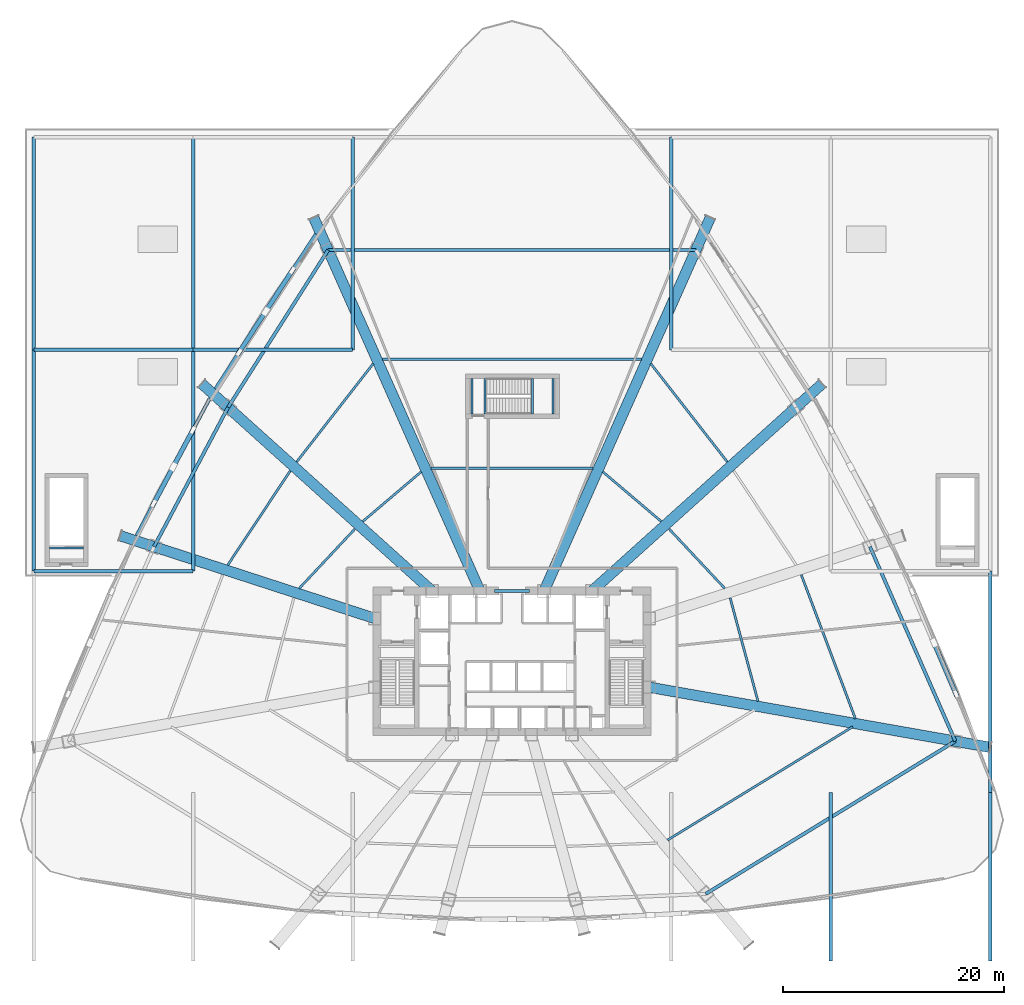
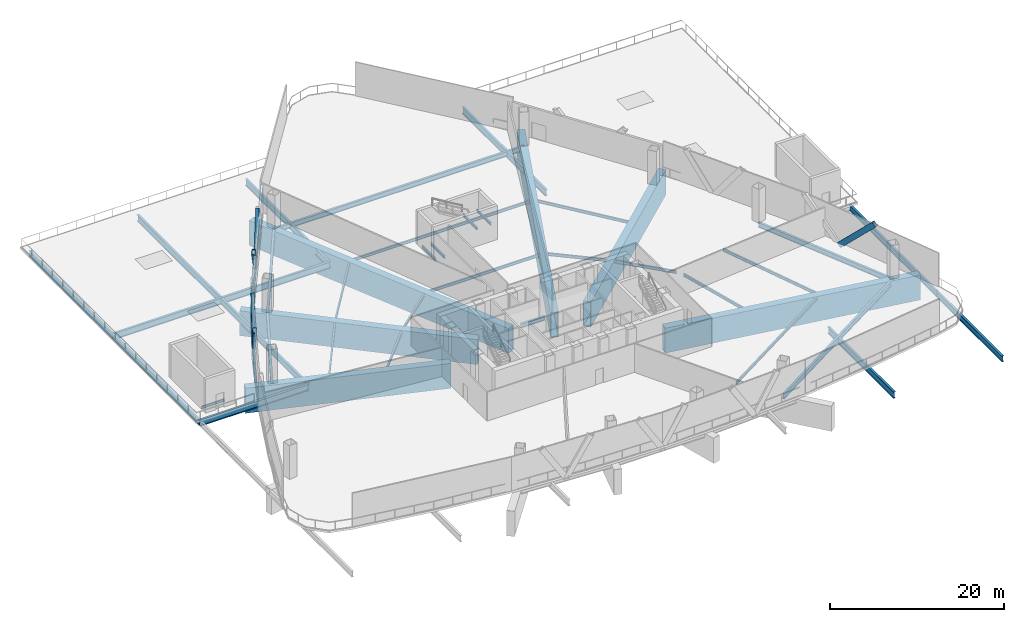
# One storey, part 2 of 18: 43 beams, 5 members.
"""IFC4 building model written with IfcOpenShell, lengths in metres."""

from ifc_helpers import new_model, si_unit, direction, frame, origin, origin_2d, place, context, subcontext, project, spatial, hollow_rectangle, i_section, extrude, source, transform, mapped, material, material_profile, profile_set, type_object, element, save


model = new_model("IFC4")

# Units and contexts
model_context = context("Model", 3, precision=1e-05, world=origin(), true_north=direction((0.0, 1.0)))
body_context = subcontext(model_context, "Body", "Model", "MODEL_VIEW")
ifc_project = project(units=[si_unit("LENGTHUNIT", "METRE"), si_unit("AREAUNIT", "SQUARE_METRE"), si_unit("VOLUMEUNIT", "CUBIC_METRE"), si_unit("PLANEANGLEUNIT", "RADIAN"), si_unit("MASSUNIT", "GRAM", prefix="KILO"), si_unit("THERMODYNAMICTEMPERATUREUNIT", "KELVIN"), si_unit("POWERUNIT", "WATT")], contexts=[model_context])

# Site, building, storey
site_placement = place(None, origin())
site = spatial("IfcSite", under=ifc_project, at=site_placement, CompositionType="ELEMENT")
building_placement = place(site_placement, origin())
building = spatial("IfcBuilding", under=site, at=building_placement, Name="Yunzhuo Pagoda Commons", CompositionType="ELEMENT")
storey_placement = place(building_placement, frame((0.0, 0.0, 25.39990234375)))
storey = spatial("IfcBuildingStorey", under=building, at=storey_placement, Name="L06", CompositionType="ELEMENT", Elevation=25.39990234375)

# Beams
ifc_material_1 = material(Name="Structural steel Q355B", Category="steel")
ifc_material_profile_1 = material_profile(ifc_material_1, i_section(OverallWidth=0.175048828125, OverallDepth=0.35009765625, WebThickness=0.007080078125, FlangeThickness=0.010986328125, at=origin_2d()), Name="Structural steel Q355B")
ifc_profile_set_1 = profile_set([ifc_material_profile_1], Name="Structural steel Q355B")
beam_type_1 = type_object("IfcBeamType", Name="B-JS2 Joist HN 350x175x7x11", PredefinedType="JOIST", material=ifc_profile_set_1)
shared_shape_1 = source(origin(), body_context, "Body", "SweptSolid", [
    extrude(i_section(OverallWidth=0.175048828125, OverallDepth=0.35009765625, WebThickness=0.007080078125, FlangeThickness=0.010986328125, at=origin_2d()), origin(), (0.0, 0.0, 1.0), 3.199951171875),
])
for number, where, z_axis, x_axis, name in (
    (1, (49.8701171875, 56.199951171875, 2.125), (0.0, 1.0, 0.0), (-1.0, 0.0, 0.0), "L06 ST3 landing support beam 10A"),
    (2, (51.699951171875, 56.199951171875, 2.125), (0.0, 1.0, 0.0), (-1.0, 0.0, 0.0), "L06 ST3 landing support beam 10B"),
    (3, (44.39990234375, 56.199951171875, -0.375), (0.0, 1.0, 0.0), (-1.0, 0.0, 0.0), "L06 ST3 landing support beam 80A"),
    (4, (45.550048828125, 56.199951171875, -0.375), (0.0, 1.0, 0.0), (-1.0, 0.0, 0.0), "L06 ST3 landing support beam 80B"),
):
    element("IfcBeam", number, at=place(storey_placement, frame(where, z_axis=z_axis, x_axis=x_axis)), inside=storey, type_object=beam_type_1, Name=name, PredefinedType="JOIST", context=body_context, shape_type="MappedRepresentation", body=[
        mapped(shared_shape_1, transform((0.0, 0.0, 0.0), scale=1.0)),
    ])
shared_shape_2 = source(origin(), body_context, "Body", "SweptSolid", [
    extrude(i_section(OverallWidth=0.175048828125, OverallDepth=0.35009765625, WebThickness=0.007080078125, FlangeThickness=0.010986328125, at=origin_2d()), origin(), (0.0, 0.0, 1.0), 3.10009765625),
])
beam_1_placement = place(storey_placement, frame((6.199951171875, 44.10009765625, -0.375), z_axis=(1.0, 0.0, 0.0), x_axis=(0.0, 1.0, 0.0)))
element("IfcBeam", 5, at=beam_1_placement, inside=storey, type_object=beam_type_1, Name="L06 PS3 landing support beam 16B", PredefinedType="JOIST", context=body_context, shape_type="MappedRepresentation", body=[
    mapped(shared_shape_2, transform((0.0, 0.0, 0.0), scale=1.0)),
])
ifc_material_2 = material(Name="Structural steel Q420B", Category="steel")
ifc_material_profile_2 = material_profile(ifc_material_2, i_section(OverallWidth=0.300048828125, OverallDepth=0.587890625, WebThickness=0.011962890625, FlangeThickness=0.02001953125, at=origin_2d()), Name="Structural steel Q420B")
ifc_profile_set_2 = profile_set([ifc_material_profile_2], Name="Structural steel Q420B")
beam_type_2 = type_object("IfcBeamType", Name="B-CPL Beam HM 588x300x12x20", PredefinedType="BEAM", material=ifc_profile_set_2)
shared_shape_3 = source(origin(), body_context, "Body", "SweptSolid", [
    extrude(i_section(OverallWidth=0.300048828125, OverallDepth=0.587890625, WebThickness=0.011962890625, FlangeThickness=0.02001953125, at=origin_2d()), origin(), (0.0, 0.0, 1.0), 3.2001953125),
])
beam_2_placement = place(storey_placement, frame((46.39990234375, 40.199951171875, -0.573974609375), z_axis=(1.0, 0.0, 0.0), x_axis=(0.0, 1.0, 0.0)))
element("IfcBeam", 6, at=beam_2_placement, inside=storey, type_object=beam_type_2, Name="L06 core coupling girder", PredefinedType="BEAM", context=body_context, shape_type="MappedRepresentation", body=[
    mapped(shared_shape_3, transform((0.0, 0.0, 0.0), scale=1.0)),
])
ifc_material_profile_3 = material_profile(ifc_material_1, i_section(OverallWidth=0.300048828125, OverallDepth=0.89990234375, WebThickness=0.01611328125, FlangeThickness=0.028076171875, at=origin_2d()), Name="Structural steel Q355B")
ifc_profile_set_3 = profile_set([ifc_material_profile_3], Name="Structural steel Q355B")
beam_type_3 = type_object("IfcBeamType", Name="B-PD1 Beam HN 900x300x16x28", PredefinedType="BEAM", material=ifc_profile_set_3)
shared_shape_4 = source(origin(), body_context, "Body", "SweptSolid", [
    extrude(i_section(OverallWidth=0.300048828125, OverallDepth=0.89990234375, WebThickness=0.01611328125, FlangeThickness=0.028076171875, at=origin_2d()), origin(), (0.0, 0.0, 1.0), 14.39990234375),
])
for number, where, z_axis, x_axis, name in (
    (7, (4.800048828125, 42.0, -0.72998046875), (1.0, 0.0, 0.0), (0.0, 1.0, 0.0), "L06 podium roof girder EW 1.1"),
    (8, (4.800048828125, 62.0, -0.72998046875), (1.0, 0.0, 0.0), (0.0, 1.0, 0.0), "L06 podium roof girder EW 2.1"),
):
    element("IfcBeam", number, at=place(storey_placement, frame(where, z_axis=z_axis, x_axis=x_axis)), inside=storey, type_object=beam_type_3, Name=name, PredefinedType="BEAM", context=body_context, shape_type="MappedRepresentation", body=[
        mapped(shared_shape_4, transform((0.0, 0.0, 0.0), scale=1.0)),
    ])
shared_shape_5 = source(origin(), body_context, "Body", "SweptSolid", [
    extrude(i_section(OverallWidth=0.300048828125, OverallDepth=0.89990234375, WebThickness=0.01611328125, FlangeThickness=0.028076171875, at=origin_2d()), origin(), (0.0, 0.0, 1.0), 14.400146484375),
])
beam_3_placement = place(storey_placement, frame((19.199951171875, 62.0, -0.72998046875), z_axis=(1.0, 0.0, 0.0), x_axis=(0.0, 1.0, 0.0)))
element("IfcBeam", 9, at=beam_3_placement, inside=storey, type_object=beam_type_3, Name="L06 podium roof girder EW 2.2", PredefinedType="BEAM", context=body_context, shape_type="MappedRepresentation", body=[
    mapped(shared_shape_5, transform((0.0, 0.0, 0.0), scale=1.0)),
])
ifc_material_profile_4 = material_profile(ifc_material_1, i_section(OverallWidth=0.300048828125, OverallDepth=0.800048828125, WebThickness=0.013916015625, FlangeThickness=0.02587890625, at=origin_2d()), Name="Structural steel Q355B")
ifc_profile_set_4 = profile_set([ifc_material_profile_4], Name="Structural steel Q355B")
beam_type_4 = type_object("IfcBeamType", Name="B-PD2 Beam HN 800x300x14x26", PredefinedType="BEAM", material=ifc_profile_set_4)
shared_shape_6 = source(origin(), body_context, "Body", "SweptSolid", [
    extrude(i_section(OverallWidth=0.300048828125, OverallDepth=0.800048828125, WebThickness=0.013916015625, FlangeThickness=0.02587890625, at=origin_2d()), origin(), (0.0, 0.0, 1.0), 15.199951171875),
])
beam_4_placement = place(storey_placement, frame((91.199951171875, 6.800048828125, -0.679931640625), z_axis=(0.0, 1.0, 0.0), x_axis=(-1.0, 0.0, 0.0)))
element("IfcBeam", 10, at=beam_4_placement, inside=storey, type_object=beam_type_4, Name="L06 podium roof girder NS 6.6", PredefinedType="BEAM", context=body_context, shape_type="MappedRepresentation", body=[
    mapped(shared_shape_6, transform((0.0, 0.0, 0.0), scale=1.0)),
])
shared_shape_7 = source(origin(), body_context, "Body", "SweptSolid", [
    extrude(i_section(OverallWidth=0.300048828125, OverallDepth=0.800048828125, WebThickness=0.013916015625, FlangeThickness=0.02587890625, at=origin_2d()), origin(), (0.0, 0.0, 1.0), 20.0),
])
for number, where, z_axis, x_axis, name in (
    (11, (4.800048828125, 42.0, -0.679931640625), (0.0, 1.0, 0.0), (-1.0, 0.0, 0.0), "L06 podium roof girder NS 1.42"),
    (12, (91.199951171875, 22.0, -0.679931640625), (0.0, 1.0, 0.0), (-1.0, 0.0, 0.0), "L06 podium roof girder NS 6.22"),
):
    element("IfcBeam", number, at=place(storey_placement, frame(where, z_axis=z_axis, x_axis=x_axis)), inside=storey, type_object=beam_type_4, Name=name, PredefinedType="BEAM", context=body_context, shape_type="MappedRepresentation", body=[
        mapped(shared_shape_7, transform((0.0, 0.0, 0.0), scale=1.0)),
    ])
shared_shape_8 = source(origin(), body_context, "Body", "SweptSolid", [
    extrude(i_section(OverallWidth=0.300048828125, OverallDepth=0.800048828125, WebThickness=0.013916015625, FlangeThickness=0.02587890625, at=origin_2d()), origin(), (0.0, 0.0, 1.0), 19.199951171875),
])
beam_5_placement = place(storey_placement, frame((4.800048828125, 62.0, -0.679931640625), z_axis=(0.0, 1.0, 0.0), x_axis=(-1.0, 0.0, 0.0)))
element("IfcBeam", 13, at=beam_5_placement, inside=storey, type_object=beam_type_4, Name="L06 podium roof girder NS 1.62", PredefinedType="BEAM", context=body_context, shape_type="MappedRepresentation", body=[
    mapped(shared_shape_8, transform((0.0, 0.0, 0.0), scale=1.0)),
])
shared_shape_9 = source(origin(), body_context, "Body", "SweptSolid", [
    extrude(i_section(OverallWidth=0.300048828125, OverallDepth=0.89990234375, WebThickness=0.01611328125, FlangeThickness=0.028076171875, at=origin_2d()), origin(), (0.0, 0.0, 1.0), 15.199951171875),
])
beam_6_placement = place(storey_placement, frame((76.800048828125, 6.800048828125, -0.72998046875), z_axis=(0.0, 1.0, 0.0), x_axis=(-1.0, 0.0, 0.0)))
element("IfcBeam", 14, at=beam_6_placement, inside=storey, type_object=beam_type_3, Name="L06 podium roof girder NS 5.6", PredefinedType="BEAM", context=body_context, shape_type="MappedRepresentation", body=[
    mapped(shared_shape_9, transform((0.0, 0.0, 0.0), scale=1.0)),
])
shared_shape_10 = source(origin(), body_context, "Body", "SweptSolid", [
    extrude(i_section(OverallWidth=0.300048828125, OverallDepth=0.89990234375, WebThickness=0.01611328125, FlangeThickness=0.028076171875, at=origin_2d()), origin(), (0.0, 0.0, 1.0), 20.0),
])
beam_7_placement = place(storey_placement, frame((19.199951171875, 42.0, -0.72998046875), z_axis=(0.0, 1.0, 0.0), x_axis=(-1.0, 0.0, 0.0)))
element("IfcBeam", 15, at=beam_7_placement, inside=storey, type_object=beam_type_3, Name="L06 podium roof girder NS 2.42", PredefinedType="BEAM", context=body_context, shape_type="MappedRepresentation", body=[
    mapped(shared_shape_10, transform((0.0, 0.0, 0.0), scale=1.0)),
])
shared_shape_11 = source(origin(), body_context, "Body", "SweptSolid", [
    extrude(i_section(OverallWidth=0.300048828125, OverallDepth=0.89990234375, WebThickness=0.01611328125, FlangeThickness=0.028076171875, at=origin_2d()), origin(), (0.0, 0.0, 1.0), 19.199951171875),
])
for number, where, z_axis, x_axis, name in (
    (16, (19.199951171875, 62.0, -0.72998046875), (0.0, 1.0, 0.0), (-1.0, 0.0, 0.0), "L06 podium roof girder NS 2.62"),
    (17, (33.60009765625, 62.0, -0.72998046875), (0.0, 1.0, 0.0), (-1.0, 0.0, 0.0), "L06 podium roof girder NS 3.62"),
    (18, (62.39990234375, 62.0, -0.72998046875), (0.0, 1.0, 0.0), (-1.0, 0.0, 0.0), "L06 podium roof girder NS 4.62"),
):
    element("IfcBeam", number, at=place(storey_placement, frame(where, z_axis=z_axis, x_axis=x_axis)), inside=storey, type_object=beam_type_3, Name=name, PredefinedType="BEAM", context=body_context, shape_type="MappedRepresentation", body=[
        mapped(shared_shape_11, transform((0.0, 0.0, 0.0), scale=1.0)),
    ])
ifc_material_profile_5 = material_profile(ifc_material_2, hollow_rectangle(XDim=0.949951171875, YDim=3.5, WallThickness=0.050048828125, at=origin_2d()), Name="Structural steel Q420B")
ifc_profile_set_5 = profile_set([ifc_material_profile_5], Name="Structural steel Q420B")
beam_type_5 = type_object("IfcBeamType", Name="BTR-1 Beam BOX 3500x950x50", PredefinedType="BEAM", material=ifc_profile_set_5)
shared_shape_12 = source(origin(), body_context, "Body", "SweptSolid", [
    extrude(hollow_rectangle(XDim=0.949951171875, YDim=3.5, WallThickness=0.050048828125, at=origin_2d()), origin(), (0.0, 0.0, 1.0), 31.274169921875),
])
beam_8_placement = place(storey_placement, frame((91.198974609375, 26.0830078125, -2.02978515625), z_axis=(-0.984809325046, 0.173639261983, 0.0), x_axis=(-0.173639261983, -0.984809325046, 0.0)))
element("IfcBeam", 19, at=beam_8_placement, inside=storey, type_object=beam_type_5, Name="BTR-1 L06 collinear transfer girder F2C1", PredefinedType="BEAM", context=body_context, shape_type="MappedRepresentation", body=[
    mapped(shared_shape_12, transform((0.0, 0.0, 0.0), scale=1.0)),
])
shared_shape_13 = source(origin(), body_context, "Body", "SweptSolid", [
    extrude(hollow_rectangle(XDim=0.949951171875, YDim=3.5, WallThickness=0.050048828125, at=origin_2d()), origin(), (0.0, 0.0, 1.0), 24.16162109375),
])
beam_9_placement = place(storey_placement, frame((12.62109375, 45.195556640625, -2.02978515625), z_axis=(0.95105381879, -0.309025296318, 0.0), x_axis=(0.309025296318, 0.95105381879, 0.0)))
element("IfcBeam", 20, at=beam_9_placement, inside=storey, type_object=beam_type_5, Name="BTR-1 L06 collinear transfer girder F3C3", PredefinedType="BEAM", context=body_context, shape_type="MappedRepresentation", body=[
    mapped(shared_shape_13, transform((0.0, 0.0, 0.0), scale=1.0)),
])
shared_shape_14 = source(origin(), body_context, "Body", "SweptSolid", [
    extrude(hollow_rectangle(XDim=0.949951171875, YDim=3.5, WallThickness=0.050048828125, at=origin_2d()), origin(), (0.0, 0.0, 1.0), 27.999755859375),
])
beam_10_placement = place(storey_placement, frame((76.027099609375, 58.935302734375, -2.02978515625), z_axis=(-0.743151054666, -0.66912368808, 0.0), x_axis=(0.66912368808, -0.743151054666, 0.0)))
element("IfcBeam", 21, at=beam_10_placement, inside=storey, type_object=beam_type_5, Name="BTR-1 L06 collinear transfer girder F2C3", PredefinedType="BEAM", context=body_context, shape_type="MappedRepresentation", body=[
    mapped(shared_shape_14, transform((0.0, 0.0, 0.0), scale=1.0)),
])
shared_shape_15 = source(origin(), body_context, "Body", "SweptSolid", [
    extrude(hollow_rectangle(XDim=0.949951171875, YDim=3.5, WallThickness=0.050048828125, at=origin_2d()), origin(), (0.0, 0.0, 1.0), 36.92431640625),
])
beam_11_placement = place(storey_placement, frame((65.91259765625, 73.931884765625, -2.02978515625), z_axis=(-0.406739586785, -0.913544147013, 0.0), x_axis=(0.913544147013, -0.406739586785, 0.0)))
element("IfcBeam", 22, at=beam_11_placement, inside=storey, type_object=beam_type_5, Name="BTR-1 L06 collinear transfer girder F2C4", PredefinedType="BEAM", context=body_context, shape_type="MappedRepresentation", body=[
    mapped(shared_shape_15, transform((0.0, 0.0, 0.0), scale=1.0)),
])
shared_shape_16 = source(origin(), body_context, "Body", "SweptSolid", [
    extrude(hollow_rectangle(XDim=0.949951171875, YDim=3.5, WallThickness=0.050048828125, at=origin_2d()), origin(), (0.0, 0.0, 1.0), 36.924072265625),
])
beam_12_placement = place(storey_placement, frame((30.087890625, 73.931884765625, -2.02978515625), z_axis=(0.40672855055, -0.913549060624, 0.0), x_axis=(0.913549060624, 0.40672855055, 0.0)))
element("IfcBeam", 23, at=beam_12_placement, inside=storey, type_object=beam_type_5, Name="BTR-1 L06 collinear transfer girder F3C1", PredefinedType="BEAM", context=body_context, shape_type="MappedRepresentation", body=[
    mapped(shared_shape_16, transform((0.0, 0.0, 0.0), scale=1.0)),
])
shared_shape_17 = source(origin(), body_context, "Body", "SweptSolid", [
    extrude(hollow_rectangle(XDim=0.949951171875, YDim=3.5, WallThickness=0.050048828125, at=origin_2d()), origin(), (0.0, 0.0, 1.0), 27.99951171875),
])
beam_13_placement = place(storey_placement, frame((19.973388671875, 58.935302734375, -2.02978515625), z_axis=(0.743143246737, -0.669132359724, 0.0), x_axis=(0.669132359724, 0.743143246737, 0.0)))
element("IfcBeam", 24, at=beam_13_placement, inside=storey, type_object=beam_type_5, Name="BTR-1 L06 collinear transfer girder F3C2", PredefinedType="BEAM", context=body_context, shape_type="MappedRepresentation", body=[
    mapped(shared_shape_17, transform((0.0, 0.0, 0.0), scale=1.0)),
])
ifc_material_profile_6 = material_profile(ifc_material_1, i_section(OverallWidth=0.300048828125, OverallDepth=0.488037109375, WebThickness=0.010986328125, FlangeThickness=0.01806640625, at=origin_2d()), Name="Structural steel Q355B")
ifc_profile_set_6 = profile_set([ifc_material_profile_6], Name="Structural steel Q355B")
beam_type_6 = type_object("IfcBeamType", Name="B-SP1 Beam HM 488x300x11x18", PredefinedType="BEAM", material=ifc_profile_set_6)
shared_shape_18 = source(origin(), body_context, "Body", "SweptSolid", [
    extrude(i_section(OverallWidth=0.300048828125, OverallDepth=0.488037109375, WebThickness=0.010986328125, FlangeThickness=0.01806640625, at=origin_2d()), origin(), (0.0, 0.0, 1.0), 14.061767578125),
])
beam_14_placement = place(storey_placement, frame((20.712890625, 57.629638671875, -0.52392578125), z_axis=(-0.47097838322, -0.882144751466, 0.0), x_axis=(0.882144751466, -0.47097838322, 0.0)))
element("IfcBeam", 25, at=beam_14_placement, inside=storey, type_object=beam_type_6, Name="L06 facade edge spandrel beam F3.2", PredefinedType="BEAM", context=body_context, shape_type="MappedRepresentation", body=[
    mapped(shared_shape_18, transform((0.0, 0.0, 0.0), scale=1.0)),
])
shared_shape_19 = source(origin(), body_context, "Body", "SweptSolid", [
    extrude(i_section(OverallWidth=0.300048828125, OverallDepth=0.488037109375, WebThickness=0.010986328125, FlangeThickness=0.01806640625, at=origin_2d()), origin(), (0.0, 0.0, 1.0), 16.676513671875),
])
beam_15_placement = place(storey_placement, frame((30.293701171875, 72.45849609375, -0.52392578125), z_axis=(-0.544670302995, -0.838650261453, 0.0), x_axis=(0.838650261453, -0.544670302995, 0.0)))
element("IfcBeam", 26, at=beam_15_placement, inside=storey, type_object=beam_type_6, Name="L06 facade edge spandrel beam F3.1", PredefinedType="BEAM", context=body_context, shape_type="MappedRepresentation", body=[
    mapped(shared_shape_19, transform((0.0, 0.0, 0.0), scale=1.0)),
])
ifc_material_profile_7 = material_profile(ifc_material_1, i_section(OverallWidth=0.300048828125, OverallDepth=0.699951171875, WebThickness=0.012939453125, FlangeThickness=0.02392578125, at=origin_2d()), Name="Structural steel Q355B")
ifc_profile_set_7 = profile_set([ifc_material_profile_7], Name="Structural steel Q355B")
beam_type_7 = type_object("IfcBeamType", Name="B-RG1 Beam HN 700x300x13x24", PredefinedType="BEAM", material=ifc_profile_set_7)
shared_shape_20 = source(origin(), body_context, "Body", "SweptSolid", [
    extrude(i_section(OverallWidth=0.300048828125, OverallDepth=0.699951171875, WebThickness=0.012939453125, FlangeThickness=0.02392578125, at=origin_2d()), origin(), (0.0, 0.0, 1.0), 26.432373046875),
])
beam_16_placement = place(storey_placement, frame((65.5, 12.844482421875, -0.629638671875), z_axis=(0.853031728928, 0.521859051318, 0.0), x_axis=(-0.521859051318, 0.853031728928, 0.0)))
element("IfcBeam", 27, at=beam_16_placement, inside=storey, type_object=beam_type_7, Name="L06 column-ring beam 4", PredefinedType="BEAM", context=body_context, shape_type="MappedRepresentation", body=[
    mapped(shared_shape_20, transform((0.0, 0.0, 0.0), scale=1.0)),
])
ifc_material_profile_8 = material_profile(ifc_material_1, i_section(OverallWidth=0.199951171875, OverallDepth=0.39990234375, WebThickness=0.008056640625, FlangeThickness=0.012939453125, at=origin_2d()), Name="Structural steel Q355B")
ifc_profile_set_8 = profile_set([ifc_material_profile_8], Name="Structural steel Q355B")
beam_type_8 = type_object("IfcBeamType", Name="B-JS1 Joist HN 400x200x8x13", PredefinedType="JOIST", material=ifc_profile_set_8)
shared_shape_21 = source(origin(), body_context, "Body", "SweptSolid", [
    extrude(i_section(OverallWidth=0.199951171875, OverallDepth=0.39990234375, WebThickness=0.008056640625, FlangeThickness=0.012939453125, at=origin_2d()), origin(), (0.0, 0.0, 1.0), 19.586669921875),
])
beam_17_placement = place(storey_placement, frame((62.061279296875, 17.716796875, -0.47998046875), z_axis=(0.853108008945, 0.521734343392, 0.0), x_axis=(-0.521734343392, 0.853108008945, 0.0)))
element("IfcBeam", 28, at=beam_17_placement, inside=storey, type_object=beam_type_8, Name="L06 composite ring joist 2.4", PredefinedType="JOIST", context=body_context, shape_type="MappedRepresentation", body=[
    mapped(shared_shape_21, transform((0.0, 0.0, 0.0), scale=1.0)),
])
shared_shape_22 = source(origin(), body_context, "Body", "SweptSolid", [
    extrude(i_section(OverallWidth=0.300048828125, OverallDepth=0.699951171875, WebThickness=0.012939453125, FlangeThickness=0.02392578125, at=origin_2d()), origin(), (0.0, 0.0, 1.0), 19.18603515625),
])
beam_18_placement = place(storey_placement, frame((88.047607421875, 26.638427734375, -0.629638671875), z_axis=(-0.40196534204, 0.915654882474, 0.0), x_axis=(-0.915654882474, -0.40196534204, 0.0)))
element("IfcBeam", 29, at=beam_18_placement, inside=storey, type_object=beam_type_7, Name="L06 column-ring beam 5", PredefinedType="BEAM", context=body_context, shape_type="MappedRepresentation", body=[
    mapped(shared_shape_22, transform((0.0, 0.0, 0.0), scale=1.0)),
])
shared_shape_23 = source(origin(), body_context, "Body", "SweptSolid", [
    extrude(i_section(OverallWidth=0.199951171875, OverallDepth=0.39990234375, WebThickness=0.008056640625, FlangeThickness=0.012939453125, at=origin_2d()), origin(), (0.0, 0.0, 1.0), 9.662841796875),
])
beam_19_placement = place(storey_placement, frame((70.22216796875, 30.24462890625, -0.47998046875), z_axis=(-0.260210858089, 0.965551815975, 0.0), x_axis=(-0.965551815975, -0.260210858089, 0.0)))
element("IfcBeam", 30, at=beam_19_placement, inside=storey, type_object=beam_type_8, Name="L06 composite ring joist 1.5", PredefinedType="JOIST", context=body_context, shape_type="MappedRepresentation", body=[
    mapped(shared_shape_23, transform((0.0, 0.0, 0.0), scale=1.0)),
])
shared_shape_24 = source(origin(), body_context, "Body", "SweptSolid", [
    extrude(i_section(OverallWidth=0.199951171875, OverallDepth=0.39990234375, WebThickness=0.008056640625, FlangeThickness=0.012939453125, at=origin_2d()), origin(), (0.0, 0.0, 1.0), 13.88232421875),
])
beam_20_placement = place(storey_placement, frame((79.02294921875, 28.669677734375, -0.47998046875), z_axis=(-0.352200549864, 0.935924555012, 0.0), x_axis=(-0.935924555012, -0.352200549864, 0.0)))
element("IfcBeam", 31, at=beam_20_placement, inside=storey, type_object=beam_type_8, Name="L06 composite ring joist 2.5", PredefinedType="JOIST", context=body_context, shape_type="MappedRepresentation", body=[
    mapped(shared_shape_24, transform((0.0, 0.0, 0.0), scale=1.0)),
])
shared_shape_25 = source(origin(), body_context, "Body", "SweptSolid", [
    extrude(i_section(OverallWidth=0.300048828125, OverallDepth=0.699951171875, WebThickness=0.012939453125, FlangeThickness=0.02392578125, at=origin_2d()), origin(), (0.0, 0.0, 1.0), 14.25390625),
])
beam_21_placement = place(storey_placement, frame((22.351318359375, 56.79443359375, -0.629638671875), z_axis=(-0.469118073628, -0.883135455633, 0.0), x_axis=(0.883135455633, -0.469118073628, 0.0)))
element("IfcBeam", 32, at=beam_21_placement, inside=storey, type_object=beam_type_7, Name="L06 column-ring beam 10", PredefinedType="BEAM", context=body_context, shape_type="MappedRepresentation", body=[
    mapped(shared_shape_25, transform((0.0, 0.0, 0.0), scale=1.0)),
])
shared_shape_26 = source(origin(), body_context, "Body", "SweptSolid", [
    extrude(i_section(OverallWidth=0.199951171875, OverallDepth=0.39990234375, WebThickness=0.008056640625, FlangeThickness=0.012939453125, at=origin_2d()), origin(), (0.0, 0.0, 1.0), 7.3671875),
])
for number, where, z_axis, x_axis, name in (
    (33, (67.232666015625, 40.428466796875, -0.47998046875), (-0.68342616689, 0.730019639743, 0.0), (-0.730019639743, -0.68342616689, 0.0), "L06 composite ring joist 1.6"),
    (34, (33.80224609375, 45.806640625, -0.47998046875), (-0.68342616689, -0.730019639743, 0.0), (0.730019639743, -0.68342616689, 0.0), "L06 composite ring joist 1.10"),
):
    element("IfcBeam", number, at=place(storey_placement, frame(where, z_axis=z_axis, x_axis=x_axis)), inside=storey, type_object=beam_type_8, Name=name, PredefinedType="JOIST", context=body_context, shape_type="MappedRepresentation", body=[
        mapped(shared_shape_26, transform((0.0, 0.0, 0.0), scale=1.0)),
    ])
shared_shape_27 = source(origin(), body_context, "Body", "SweptSolid", [
    extrude(i_section(OverallWidth=0.199951171875, OverallDepth=0.39990234375, WebThickness=0.008056640625, FlangeThickness=0.012939453125, at=origin_2d()), origin(), (0.0, 0.0, 1.0), 10.21484375),
])
beam_22_placement = place(storey_placement, frame((27.970458984375, 51.064453125, -0.47998046875), z_axis=(-0.55293950697, -0.833221400129, 0.0), x_axis=(0.833221400129, -0.55293950697, 0.0)))
element("IfcBeam", 35, at=beam_22_placement, inside=storey, type_object=beam_type_8, Name="L06 composite ring joist 2.10", PredefinedType="JOIST", context=body_context, shape_type="MappedRepresentation", body=[
    mapped(shared_shape_27, transform((0.0, 0.0, 0.0), scale=1.0)),
])
shared_shape_28 = source(origin(), body_context, "Body", "SweptSolid", [
    extrude(i_section(OverallWidth=0.300048828125, OverallDepth=0.699951171875, WebThickness=0.012939453125, FlangeThickness=0.02392578125, at=origin_2d()), origin(), (0.0, 0.0, 1.0), 16.843994140625),
])
beam_23_placement = place(storey_placement, frame((31.38916015625, 71.008544921875, -0.629638671875), z_axis=(-0.536558458992, -0.843863152462, 0.0), x_axis=(0.843863152462, -0.536558458992, 0.0)))
element("IfcBeam", 36, at=beam_23_placement, inside=storey, type_object=beam_type_7, Name="L06 column-ring beam 9", PredefinedType="BEAM", context=body_context, shape_type="MappedRepresentation", body=[
    mapped(shared_shape_28, transform((0.0, 0.0, 0.0), scale=1.0)),
])
shared_shape_29 = source(origin(), body_context, "Body", "SweptSolid", [
    extrude(i_section(OverallWidth=0.199951171875, OverallDepth=0.39990234375, WebThickness=0.008056640625, FlangeThickness=0.012939453125, at=origin_2d()), origin(), (0.0, 0.0, 1.0), 6.895263671875),
])
for number, where, z_axis, x_axis, name in (
    (37, (61.469970703125, 46.5, -0.47998046875), (-0.762006582917, 0.647569276287, 0.0), (-0.647569276287, -0.762006582917, 0.0), "L06 composite ring joist 1.7"),
    (38, (39.7841796875, 50.965087890625, -0.47998046875), (-0.762006582917, -0.647569276287, 0.0), (0.647569276287, -0.762006582917, 0.0), "L06 composite ring joist 1.9"),
):
    element("IfcBeam", number, at=place(storey_placement, frame(where, z_axis=z_axis, x_axis=x_axis)), inside=storey, type_object=beam_type_8, Name=name, PredefinedType="JOIST", context=body_context, shape_type="MappedRepresentation", body=[
        mapped(shared_shape_29, transform((0.0, 0.0, 0.0), scale=1.0)),
    ])
shared_shape_30 = source(origin(), body_context, "Body", "SweptSolid", [
    extrude(i_section(OverallWidth=0.199951171875, OverallDepth=0.39990234375, WebThickness=0.008056640625, FlangeThickness=0.012939453125, at=origin_2d()), origin(), (0.0, 0.0, 1.0), 11.24609375),
])
beam_24_placement = place(storey_placement, frame((67.442138671875, 51.88134765625, -0.47998046875), z_axis=(-0.614564142245, 0.788866855095, 0.0), x_axis=(-0.788866855095, -0.614564142245, 0.0)))
element("IfcBeam", 39, at=beam_24_placement, inside=storey, type_object=beam_type_8, Name="L06 composite ring joist 2.7", PredefinedType="JOIST", context=body_context, shape_type="MappedRepresentation", body=[
    mapped(shared_shape_30, transform((0.0, 0.0, 0.0), scale=1.0)),
])
shared_shape_31 = source(origin(), body_context, "Body", "SweptSolid", [
    extrude(i_section(OverallWidth=0.300048828125, OverallDepth=0.699951171875, WebThickness=0.012939453125, FlangeThickness=0.02392578125, at=origin_2d()), origin(), (0.0, 0.0, 1.0), 33.2216796875),
])
beam_25_placement = place(storey_placement, frame((64.61083984375, 71.008544921875, -0.629638671875), z_axis=(-1.0, 0.0, 0.0), x_axis=(0.0, -1.0, 0.0)))
element("IfcBeam", 40, at=beam_25_placement, inside=storey, type_object=beam_type_7, Name="L06 column-ring beam 8", PredefinedType="BEAM", context=body_context, shape_type="MappedRepresentation", body=[
    mapped(shared_shape_31, transform((0.0, 0.0, 0.0), scale=1.0)),
])
shared_shape_32 = source(origin(), body_context, "Body", "SweptSolid", [
    extrude(i_section(OverallWidth=0.199951171875, OverallDepth=0.39990234375, WebThickness=0.008056640625, FlangeThickness=0.012939453125, at=origin_2d()), origin(), (0.0, 0.0, 1.0), 14.6572265625),
])
beam_26_placement = place(storey_placement, frame((55.32861328125, 51.291015625, -0.47998046875), z_axis=(-1.0, 0.0, 0.0), x_axis=(0.0, -1.0, 0.0)))
element("IfcBeam", 41, at=beam_26_placement, inside=storey, type_object=beam_type_8, Name="L06 composite ring joist 1.8", PredefinedType="JOIST", context=body_context, shape_type="MappedRepresentation", body=[
    mapped(shared_shape_32, transform((0.0, 0.0, 0.0), scale=1.0)),
])
shared_shape_33 = source(origin(), body_context, "Body", "SweptSolid", [
    extrude(i_section(OverallWidth=0.199951171875, OverallDepth=0.39990234375, WebThickness=0.008056640625, FlangeThickness=0.012939453125, at=origin_2d()), origin(), (0.0, 0.0, 1.0), 23.43603515625),
])
beam_27_placement = place(storey_placement, frame((59.718017578125, 61.14990234375, -0.47998046875), z_axis=(-1.0, 0.0, 0.0), x_axis=(0.0, -1.0, 0.0)))
element("IfcBeam", 42, at=beam_27_placement, inside=storey, type_object=beam_type_8, Name="L06 composite ring joist 2.8", PredefinedType="JOIST", context=body_context, shape_type="MappedRepresentation", body=[
    mapped(shared_shape_33, transform((0.0, 0.0, 0.0), scale=1.0)),
])
shared_shape_34 = source(origin(), body_context, "Body", "SweptSolid", [
    extrude(i_section(OverallWidth=0.199951171875, OverallDepth=0.39990234375, WebThickness=0.008056640625, FlangeThickness=0.012939453125, at=origin_2d()), origin(), (0.0, 0.0, 1.0), 11.24560546875),
])
beam_28_placement = place(storey_placement, frame((35.46923828125, 60.7529296875, -0.47998046875), z_axis=(-0.614537121489, -0.788887904782, 0.0), x_axis=(0.788887904782, -0.614537121489, 0.0)))
element("IfcBeam", 43, at=beam_28_placement, inside=storey, type_object=beam_type_8, Name="L06 composite ring joist 2.9", PredefinedType="JOIST", context=body_context, shape_type="MappedRepresentation", body=[
    mapped(shared_shape_34, transform((0.0, 0.0, 0.0), scale=1.0)),
])

# Members
ifc_material_profile_9 = material_profile(ifc_material_2, hollow_rectangle(XDim=0.419921875, YDim=0.719970703125, WallThickness=0.028076171875, at=origin_2d()), Name="Structural steel Q420B")
ifc_profile_set_9 = profile_set([ifc_material_profile_9], Name="Structural steel Q420B")
member_type = type_object("IfcMemberType", Name="M-DL1 Brace BOX 720x420x28", PredefinedType="BRACE", material=ifc_profile_set_9)
shared_shape_35 = source(origin(), body_context, "Body", "SweptSolid", [
    extrude(hollow_rectangle(XDim=0.419921875, YDim=0.719970703125, WallThickness=0.028076171875, at=origin_2d()), origin(), (0.0, 0.0, 1.0), 7.112060546875),
])
member_1_placement = place(storey_placement, frame((86.11962890625, 35.534912109375, -0.27978515625), z_axis=(0.279700212313, -0.650848800374, 0.705807077241), x_axis=(0.918753575597, 0.394831441665, 0.0)))
element("IfcMember", 44, at=member_1_placement, inside=storey, type_object=member_type, Name="L06 facade diamond brace F2.1L", PredefinedType="BRACE", context=body_context, shape_type="MappedRepresentation", body=[
    mapped(shared_shape_35, transform((0.0, 0.0, 0.0), scale=1.0)),
])
shared_shape_36 = source(origin(), body_context, "Body", "SweptSolid", [
    extrude(hollow_rectangle(XDim=0.419921875, YDim=0.719970703125, WallThickness=0.028076171875, at=origin_2d()), origin(), (0.0, 0.0, 1.0), 6.272216796875),
])
member_2_placement = place(storey_placement, frame((17.401611328125, 51.427490234375, -0.27978515625), z_axis=(-0.282395466684, -0.528902770682, 0.800321597585), x_axis=(0.882135398072, -0.470995901753, 0.0)))
element("IfcMember", 45, at=member_2_placement, inside=storey, type_object=member_type, Name="L06 facade diamond brace F3.2R", PredefinedType="BRACE", context=body_context, shape_type="MappedRepresentation", body=[
    mapped(shared_shape_36, transform((0.0, 0.0, 0.0), scale=1.0)),
])
shared_shape_37 = source(origin(), body_context, "Body", "SweptSolid", [
    extrude(hollow_rectangle(XDim=0.419921875, YDim=0.719970703125, WallThickness=0.028076171875, at=origin_2d()), origin(), (0.0, 0.0, 1.0), 6.27197265625),
])
member_3_placement = place(storey_placement, frame((17.401611328125, 51.427490234375, -0.27978515625), z_axis=(0.282371272015, 0.528852509181, 0.800363347657), x_axis=(-0.882133567562, 0.470999330126, 0.0)))
element("IfcMember", 46, at=member_3_placement, inside=storey, type_object=member_type, Name="L06 facade diamond brace F3.2L", PredefinedType="BRACE", context=body_context, shape_type="MappedRepresentation", body=[
    mapped(shared_shape_37, transform((0.0, 0.0, 0.0), scale=1.0)),
])
shared_shape_38 = source(origin(), body_context, "Body", "SweptSolid", [
    extrude(hollow_rectangle(XDim=0.419921875, YDim=0.719970703125, WallThickness=0.028076171875, at=origin_2d()), origin(), (0.0, 0.0, 1.0), 6.6845703125),
])
for number, where, z_axis, x_axis, name in (
    (47, (25.752197265625, 65.465576171875, -0.27978515625), (0.359641924349, 0.55383468476, 0.75094928471), (-0.838686148421, 0.544615042436, 0.0), "L06 facade diamond brace F3.1L"),
    (48, (25.752197265625, 65.465576171875, -0.27978515625), (-0.359680997911, -0.553802088883, 0.750954609874), (0.838644478303, -0.544679207435, 0.0), "L06 facade diamond brace F3.1R"),
):
    element("IfcMember", number, at=place(storey_placement, frame(where, z_axis=z_axis, x_axis=x_axis)), inside=storey, type_object=member_type, Name=name, PredefinedType="BRACE", context=body_context, shape_type="MappedRepresentation", body=[
        mapped(shared_shape_38, transform((0.0, 0.0, 0.0), scale=1.0)),
    ])

save(model, "model.ifc")
